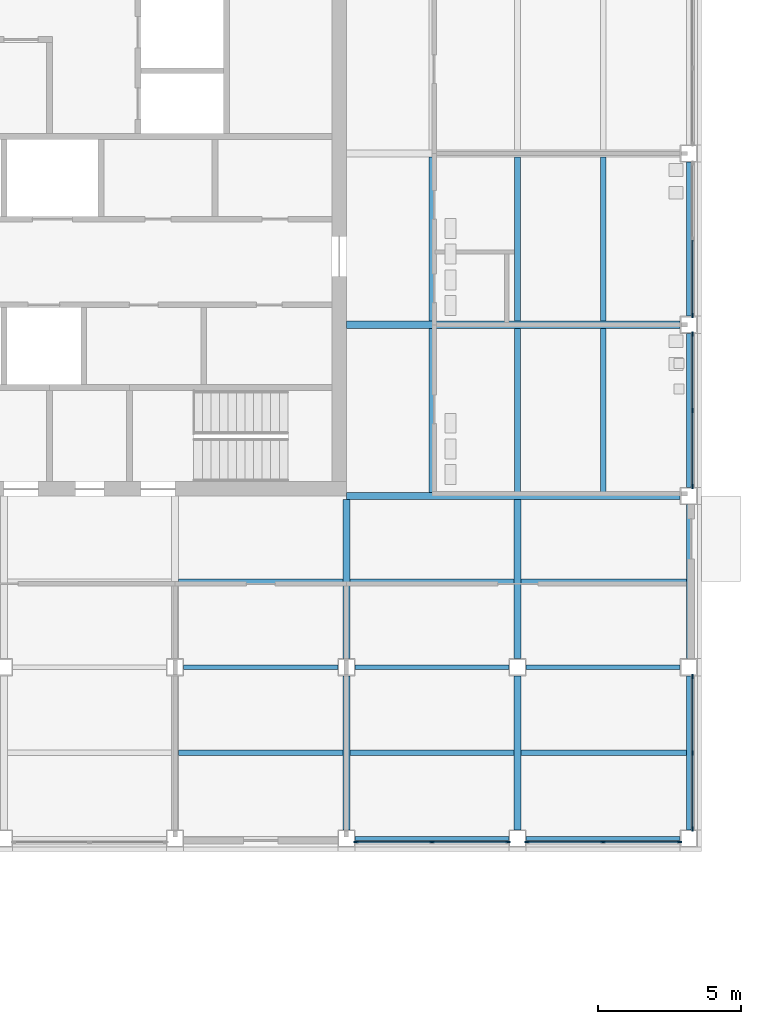
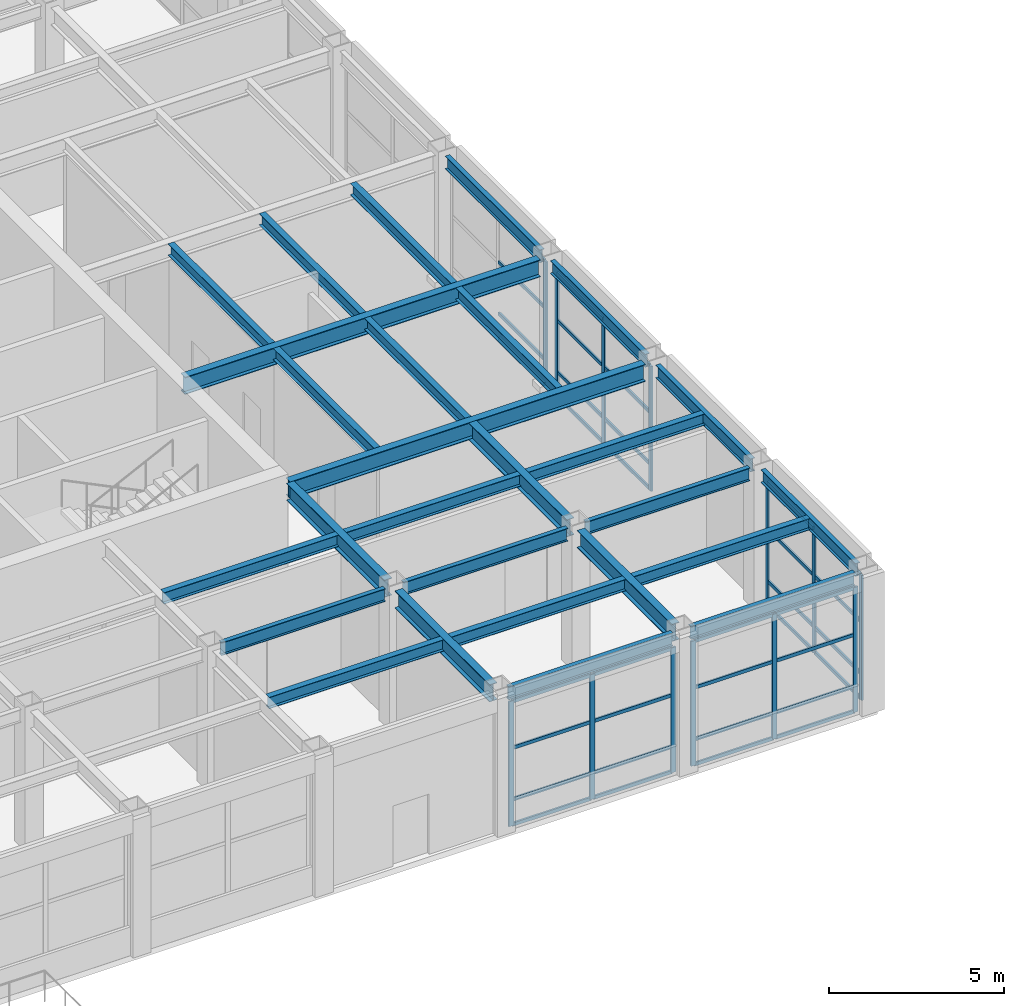
# One storey, part 20 of 77: 49 members, 27 beams, 5 elements without a shape of their own.
"""IFC4 building model written with IfcOpenShell, lengths in metres."""

import ifcopenshell
import ifcopenshell.guid

model = None  # the IFC model being written
_history = None  # IfcOwnerHistory: only IFC2X3 demands one
_inside = {}  # id of a spatial element -> (the spatial element, [elements in it])
_under = {}  # id of a project, library or spatial element -> (it, [spatial elements below it])
_declared = {}  # id of a project -> (the project, [libraries it declares])
_typed = {}  # id of a type object -> (the type object, [elements of that type])
_made_of = {}  # id of a material, layer set ... -> (it, [elements and type objects made of it])


def new_model(schema):
    """Start an empty IFC model of exactly this schema.

    Asked for "IFC4X3", IfcOpenShell would pick the latest addendum, in which some entities
    have other attributes; the version numbers below select the first issue.
    IFC2X3 requires an IfcOwnerHistory on every rooted entity: one is made here for all.
    """
    global model, _history
    if schema == "IFC4X3":
        model = ifcopenshell.file(schema_version=(4, 3, 0, 0))
    else:
        model = ifcopenshell.file(schema=schema)
    _inside.clear()
    _under.clear()
    _declared.clear()
    _typed.clear()
    _made_of.clear()
    _history = None
    if model.schema == "IFC2X3":
        org = make("IfcOrganization", Name="unknown")
        user = make(
            "IfcPersonAndOrganization",
            ThePerson=make("IfcPerson", FamilyName="unknown"),
            TheOrganization=org,
        )
        app = make(
            "IfcApplication",
            ApplicationDeveloper=org,
            Version="unknown",
            ApplicationFullName="unknown",
            ApplicationIdentifier="unknown",
        )
        _history = make(
            "IfcOwnerHistory",
            OwningUser=user,
            OwningApplication=app,
            ChangeAction="ADDED",
            CreationDate=0,
        )
    return model


def make(cls, **values):
    """One entity of the class cls with the attributes given. An attribute that is None is left unset."""
    return model.create_entity(
        cls, **{name: value for name, value in values.items() if value is not None}
    )


def rooted(cls, **values):
    """An entity with a GlobalId (a new one), such as an element, a storey or a relation."""
    return make(cls, GlobalId=ifcopenshell.guid.new(), OwnerHistory=_history, **values)


def si_unit(unit_type, name, prefix=None):
    """IfcSIUnit, for example si_unit("LENGTHUNIT", "METRE", prefix="MILLI")."""
    return make("IfcSIUnit", UnitType=unit_type, Prefix=prefix, Name=name)


def assignment(units):
    """IfcUnitAssignment: the units of a project."""
    return None if units is None else make("IfcUnitAssignment", Units=units)


def point(xyz):
    """IfcCartesianPoint."""
    return None if xyz is None else make("IfcCartesianPoint", Coordinates=xyz)


def direction(xyz):
    """IfcDirection."""
    return None if xyz is None else make("IfcDirection", DirectionRatios=xyz)


def frame(location, z_axis=None, x_axis=None):
    """IfcAxis2Placement3D, a coordinate frame: its origin and axes. An axis left out is left unset."""
    return make(
        "IfcAxis2Placement3D",
        Location=point(location),
        Axis=direction(z_axis),
        RefDirection=direction(x_axis),
    )


def frame_2d(location, x_axis=None):
    """IfcAxis2Placement2D, a coordinate frame in the plane: its origin and x axis."""
    return make(
        "IfcAxis2Placement2D", Location=point(location), RefDirection=direction(x_axis)
    )


def origin():
    """The frame at (0, 0, 0) with its axes left unset."""
    return frame((0.0, 0.0, 0.0))


def origin_2d():
    """The frame at (0, 0) in the plane with its x axis left unset."""
    return frame_2d((0.0, 0.0))


def place(relative_to, where):
    """IfcLocalPlacement: puts the frame where relative to a parent placement (None: the world)."""
    return make(
        "IfcLocalPlacement", PlacementRelTo=relative_to, RelativePlacement=where
    )


def context(
    kind, dimensions, precision=None, world=None, true_north=None, identifier=None
):
    """IfcGeometricRepresentationContext, for example the 3D "Model" context."""
    return make(
        "IfcGeometricRepresentationContext",
        ContextIdentifier=identifier,
        ContextType=kind,
        CoordinateSpaceDimension=dimensions,
        Precision=precision,
        WorldCoordinateSystem=world,
        TrueNorth=true_north,
    )


def subcontext(parent, identifier, kind, view, scale=None):
    """IfcGeometricRepresentationSubContext, for example "Body" below "Model"."""
    return make(
        "IfcGeometricRepresentationSubContext",
        ContextIdentifier=identifier,
        ContextType=kind,
        ParentContext=parent,
        TargetScale=scale,
        TargetView=view,
    )


def project(units=None, contexts=None):
    """IfcProject with its units and contexts."""
    return rooted(
        "IfcProject",
        Name="project",
        RepresentationContexts=contexts,
        UnitsInContext=assignment(units),
    )


def spatial(cls, under=None, at=None, **own):
    """A site, building, storey or space (cls), placed at a placement, below another one or the project."""
    s = rooted(cls, ObjectPlacement=at, **own)
    if under is not None:
        _under.setdefault(under.id(), (under, []))[1].append(s)
    return s


def profile(cls, at=None, kind="AREA", **sizes):
    """A parametric profile (cls). Its sizes go by their IFC names, for example OverallWidth=200.0."""
    return make(cls, ProfileType=kind, Position=at, **sizes)


def rectangle(**sizes):
    """IfcRectangleProfileDef."""
    return profile("IfcRectangleProfileDef", **sizes)


def i_section(**sizes):
    """IfcIShapeProfileDef."""
    return profile("IfcIShapeProfileDef", **sizes)


def extrude(swept, where, along, depth):
    """IfcExtrudedAreaSolid: the profile swept, set in the frame where, extruded along a direction by depth."""
    return make(
        "IfcExtrudedAreaSolid",
        SweptArea=swept,
        Position=where,
        ExtrudedDirection=direction(along),
        Depth=depth,
    )


def shape(context_of_items, identifier, shape_type, items):
    """IfcShapeRepresentation: the items that make up one representation, for example the "Body"."""
    return make(
        "IfcShapeRepresentation",
        ContextOfItems=context_of_items,
        RepresentationIdentifier=identifier,
        RepresentationType=shape_type,
        Items=items,
    )


def material(Name=None, Category=None):
    """IfcMaterial."""
    return make("IfcMaterial", Name=Name, Category=Category)


def material_profile(
    of_material, cross_section, Name=None, Category=None, Priority=None
):
    """IfcMaterialProfile: a cross section and its material."""
    return make(
        "IfcMaterialProfile",
        Name=Name,
        Material=of_material,
        Profile=cross_section,
        Priority=Priority,
        Category=Category,
    )


def profile_set(profiles, Name=None, composite=None):
    """IfcMaterialProfileSet."""
    return make(
        "IfcMaterialProfileSet",
        Name=Name,
        MaterialProfiles=profiles,
        CompositeProfile=composite,
    )


def made_of(thing, what):
    """Note that an element or type object is made of a material, layer set ...; save() writes the relation."""
    if what is not None:
        _made_of.setdefault(what.id(), (what, []))[1].append(thing)
    return thing


def type_object(cls, material=None, **own):
    """A type object (cls), such as IfcWallType, which elements share."""
    return made_of(rooted(cls, **own), material)


def element(
    cls,
    number,
    at=None,
    inside=None,
    cuts=None,
    type_object=None,
    material=None,
    context=None,
    identifier="Body",
    shape_type=None,
    held_by="IfcProductDefinitionShape",
    body=None,
    shapes=None,
    **own,
):
    """One element of the class cls, such as IfcWall. Its Tag is "e" and its number.

    at: its placement. inside: the storey or other place that contains it. cuts: it is an
    opening in that element (IfcRelVoidsElement). A single representation is given by context,
    identifier, shape_type and body (its items); several are given by shapes. held_by: the class
    of the entity that holds the representations. save() writes the other relations.
    """
    e = rooted(cls, Tag="e%d" % number, ObjectPlacement=at, **own)
    if body is not None:
        shapes = [shape(context, identifier, shape_type, body)]
    if shapes is not None:
        e.Representation = make(held_by, Representations=shapes)
    if inside is not None:
        _inside.setdefault(inside.id(), (inside, []))[1].append(e)
    if cuts is not None:
        rooted(
            "IfcRelVoidsElement", RelatingBuildingElement=cuts, RelatedOpeningElement=e
        )
    if type_object is not None:
        _typed.setdefault(type_object.id(), (type_object, []))[1].append(e)
    return made_of(e, material)


def aggregate(whole, parts):
    """IfcRelAggregates: a whole, such as a stair, and the parts it consists of."""
    return rooted("IfcRelAggregates", RelatingObject=whole, RelatedObjects=parts)


def save(model, path):
    """Write the relations noted so far, then the file.

    IfcRelAggregates (storeys below a building ...), IfcRelContainedInSpatialStructure (elements
    in a storey), IfcRelDefinesByType, IfcRelAssociatesMaterial and IfcRelDeclares: one each for
    every whole, place, type object, material and project.
    """
    for whole, parts in _under.values():
        aggregate(whole, parts)
    for where, things in _inside.values():
        rooted(
            "IfcRelContainedInSpatialStructure",
            RelatedElements=things,
            RelatingStructure=where,
        )
    for kind, things in _typed.values():
        rooted("IfcRelDefinesByType", RelatedObjects=things, RelatingType=kind)
    for what, things in _made_of.values():
        rooted("IfcRelAssociatesMaterial", RelatedObjects=things, RelatingMaterial=what)
    for by, libraries in _declared.values():
        rooted("IfcRelDeclares", RelatingContext=by, RelatedDefinitions=libraries)
    model.write(path)


model = new_model("IFC4")

# Units and contexts
model_context = context("Model", 3, precision=1e-05, world=origin(), true_north=direction((0.0, 1.0)))
body_context = subcontext(model_context, "Body", "Model", "MODEL_VIEW")
ifc_project = project(units=[si_unit("LENGTHUNIT", "METRE"), si_unit("AREAUNIT", "SQUARE_METRE"), si_unit("VOLUMEUNIT", "CUBIC_METRE"), si_unit("PLANEANGLEUNIT", "RADIAN"), si_unit("MASSUNIT", "GRAM", prefix="KILO")], contexts=[model_context])

# Site, building, storey
site_placement = place(None, origin())
site = spatial("IfcSite", under=ifc_project, at=site_placement, CompositionType="ELEMENT")
building_placement = place(site_placement, origin())
building = spatial("IfcBuilding", under=site, at=building_placement, Name="Aravalli Gate Trade Fair Centre", CompositionType="ELEMENT")
storey_placement = place(building_placement, origin())
storey = spatial("IfcBuildingStorey", under=building, at=storey_placement, Name="L00", CompositionType="ELEMENT", Elevation=0.0)

# Beams
ifc_material_1 = material(Name="Steel E350", Category="steel")
ifc_material_profile_1 = material_profile(ifc_material_1, i_section(OverallWidth=0.25, OverallDepth=0.60009765625, WebThickness=0.01123046875, FlangeThickness=0.021240234375, at=origin_2d()), Name="ISWB 600")
ifc_profile_set_1 = profile_set([ifc_material_profile_1], Name="Steel E350")
beam_type_1 = type_object("IfcBeamType", Name="Wing core to perimeter girder ISWB 600 (podium floors)", PredefinedType="BEAM", material=ifc_profile_set_1)
for number, where, z_axis, x_axis, name in (
    (1, (190.0, 103.0, 4.5), (1.0, 0.0, 0.0), (0.0, 1.0, 0.0), "Core to perimeter girder PE0 L01"),
    (2, (190.0, 109.0, 4.5), (1.0, 0.0, 0.0), (0.0, 1.0, 0.0), "Core to perimeter girder PE1 L01"),
):
    element("IfcBeam", number, at=place(storey_placement, frame(where, z_axis=z_axis, x_axis=x_axis)), inside=storey, type_object=beam_type_1, Name=name, PredefinedType="BEAM", context=body_context, shape_type="SweptSolid", body=[
        extrude(i_section(OverallWidth=0.25, OverallDepth=0.60009765625, WebThickness=0.01123046875, FlangeThickness=0.021240234375, at=origin_2d()), origin(), (0.0, 0.0, 1.0), 11.699951171875),
    ])
beam_1_placement = place(storey_placement, frame((190.0, 91.300048828125, 4.5), z_axis=(0.0, 1.0, 0.0), x_axis=(-1.0, 0.0, 0.0)))
element("IfcBeam", 3, at=beam_1_placement, inside=storey, type_object=beam_type_1, Name="Core to perimeter girder PS3a L01", PredefinedType="BEAM", context=body_context, shape_type="SweptSolid", body=[
    extrude(i_section(OverallWidth=0.25, OverallDepth=0.60009765625, WebThickness=0.01123046875, FlangeThickness=0.021240234375, at=origin_2d()), origin(), (0.0, 0.0, 1.0), 5.39990234375),
])
beam_2_placement = place(storey_placement, frame((190.0, 97.300048828125, 4.5), z_axis=(0.0, 1.0, 0.0), x_axis=(-1.0, 0.0, 0.0)))
element("IfcBeam", 4, at=beam_2_placement, inside=storey, type_object=beam_type_1, Name="Core to perimeter girder PS3b L01", PredefinedType="BEAM", context=body_context, shape_type="SweptSolid", body=[
    extrude(i_section(OverallWidth=0.25, OverallDepth=0.60009765625, WebThickness=0.01123046875, FlangeThickness=0.021240234375, at=origin_2d()), origin(), (0.0, 0.0, 1.0), 5.574951171875),
])
ifc_material_profile_2 = material_profile(ifc_material_1, i_section(OverallWidth=0.25, OverallDepth=0.60009765625, WebThickness=0.01123046875, FlangeThickness=0.021240234375, at=origin_2d()), Name="ISWB 600")
ifc_profile_set_2 = profile_set([ifc_material_profile_2], Name="Steel E350")
beam_type_2 = type_object("IfcBeamType", Name="Wing corner transfer girder ISWB 600 (podium floors)", PredefinedType="BEAM", material=ifc_profile_set_2)
beam_3_placement = place(storey_placement, frame((196.0, 91.300048828125, 4.5), z_axis=(0.0, 1.0, 0.0), x_axis=(-1.0, 0.0, 0.0)))
element("IfcBeam", 5, at=beam_3_placement, inside=storey, type_object=beam_type_2, Name="Corner transfer girder CSEya L01", PredefinedType="BEAM", context=body_context, shape_type="SweptSolid", body=[
    extrude(i_section(OverallWidth=0.25, OverallDepth=0.60009765625, WebThickness=0.01123046875, FlangeThickness=0.021240234375, at=origin_2d()), origin(), (0.0, 0.0, 1.0), 5.39990234375),
])
beam_4_placement = place(storey_placement, frame((196.0, 97.300048828125, 4.5), z_axis=(0.0, 1.0, 0.0), x_axis=(-1.0, 0.0, 0.0)))
element("IfcBeam", 6, at=beam_4_placement, inside=storey, type_object=beam_type_2, Name="Corner transfer girder CSEyb L01", PredefinedType="BEAM", context=body_context, shape_type="SweptSolid", body=[
    extrude(i_section(OverallWidth=0.25, OverallDepth=0.60009765625, WebThickness=0.01123046875, FlangeThickness=0.021240234375, at=origin_2d()), origin(), (0.0, 0.0, 1.0), 5.574951171875),
])

# Curtain wall, members
ifc_material_2 = material(Name="Aluminium and glass", Category="aluminium")
curtain_wall_type = type_object("IfcCurtainWallType", Name="Wing curtain wall", PredefinedType="NOTDEFINED", material=ifc_material_2)
curtain_wall_1_placement = place(storey_placement, origin())
curtain_wall_1 = element("IfcCurtainWall", 7, at=curtain_wall_1_placement, inside=storey, type_object=curtain_wall_type, Name="Curtain wall S5 L00", PredefinedType="NOTDEFINED")
ifc_material_3 = material(Name="Aluminium", Category="aluminium")
ifc_material_profile_3 = material_profile(ifc_material_3, rectangle(XDim=0.06005859375, YDim=0.159912109375, at=origin_2d()), Name="Wing curtain wall mullion 60 x 160")
ifc_profile_set_3 = profile_set([ifc_material_profile_3], Name="Aluminium")
member_type_1 = type_object("IfcMemberType", Name="Wing curtain wall mullion 60 x 160", PredefinedType="MULLION", material=ifc_profile_set_3)
member_1_placement = place(storey_placement, frame((190.330078125, 90.875, 0.0), z_axis=(0.0, 0.0, 1.0), x_axis=(0.0, 1.0, 0.0)))
member_1 = element("IfcMember", 8, at=member_1_placement, type_object=member_type_1, Name="TCW1 mullion 1", PredefinedType="MULLION", context=body_context, shape_type="SweptSolid", body=[
    extrude(rectangle(XDim=0.06005859375, YDim=0.159912109375, at=origin_2d()), origin(), (0.0, 0.0, 1.0), 4.35009765625),
])
member_2_placement = place(storey_placement, frame((193.0, 90.875, 0.0), z_axis=(0.0, 0.0, 1.0), x_axis=(0.0, 1.0, 0.0)))
member_2 = element("IfcMember", 9, at=member_2_placement, type_object=member_type_1, Name="TCW1 mullion 2", PredefinedType="MULLION", context=body_context, shape_type="SweptSolid", body=[
    extrude(rectangle(XDim=0.06005859375, YDim=0.159912109375, at=origin_2d()), origin(), (0.0, 0.0, 1.0), 4.35009765625),
])
member_3_placement = place(storey_placement, frame((195.669921875, 90.875, 0.0), z_axis=(0.0, 0.0, 1.0), x_axis=(0.0, 1.0, 0.0)))
member_3 = element("IfcMember", 10, at=member_3_placement, type_object=member_type_1, Name="TCW1 mullion 3", PredefinedType="MULLION", context=body_context, shape_type="SweptSolid", body=[
    extrude(rectangle(XDim=0.06005859375, YDim=0.159912109375, at=origin_2d()), origin(), (0.0, 0.0, 1.0), 4.35009765625),
])

curtain_wall_2_placement = place(storey_placement, origin())
curtain_wall_2 = element("IfcCurtainWall", 11, at=curtain_wall_2_placement, inside=storey, type_object=curtain_wall_type, Name="Curtain wall S6 L00", PredefinedType="NOTDEFINED")
member_4_placement = place(storey_placement, frame((196.330078125, 90.875, 0.0), z_axis=(0.0, 0.0, 1.0), x_axis=(0.0, 1.0, 0.0)))
member_4 = element("IfcMember", 12, at=member_4_placement, type_object=member_type_1, Name="TCW1 mullion 1", PredefinedType="MULLION", context=body_context, shape_type="SweptSolid", body=[
    extrude(rectangle(XDim=0.06005859375, YDim=0.159912109375, at=origin_2d()), origin(), (0.0, 0.0, 1.0), 4.35009765625),
])
member_5_placement = place(storey_placement, frame((199.0, 90.875, 0.0), z_axis=(0.0, 0.0, 1.0), x_axis=(0.0, 1.0, 0.0)))
member_5 = element("IfcMember", 13, at=member_5_placement, type_object=member_type_1, Name="TCW1 mullion 2", PredefinedType="MULLION", context=body_context, shape_type="SweptSolid", body=[
    extrude(rectangle(XDim=0.06005859375, YDim=0.159912109375, at=origin_2d()), origin(), (0.0, 0.0, 1.0), 4.35009765625),
])
member_6_placement = place(storey_placement, frame((201.669921875, 90.875, 0.0), z_axis=(0.0, 0.0, 1.0), x_axis=(0.0, 1.0, 0.0)))
member_6 = element("IfcMember", 14, at=member_6_placement, type_object=member_type_1, Name="TCW1 mullion 3", PredefinedType="MULLION", context=body_context, shape_type="SweptSolid", body=[
    extrude(rectangle(XDim=0.06005859375, YDim=0.159912109375, at=origin_2d()), origin(), (0.0, 0.0, 1.0), 4.35009765625),
])

curtain_wall_3_placement = place(storey_placement, origin())
curtain_wall_3 = element("IfcCurtainWall", 15, at=curtain_wall_3_placement, inside=storey, type_object=curtain_wall_type, Name="Curtain wall E0 L00", PredefinedType="NOTDEFINED")
member_7_placement = place(storey_placement, frame((202.125, 91.330078125, 0.0), z_axis=(0.0, 0.0, 1.0), x_axis=(-1.0, 0.0, 0.0)))
member_7 = element("IfcMember", 16, at=member_7_placement, type_object=member_type_1, Name="TCW1 mullion 1", PredefinedType="MULLION", context=body_context, shape_type="SweptSolid", body=[
    extrude(rectangle(XDim=0.06005859375, YDim=0.159912109375, at=origin_2d()), origin(), (0.0, 0.0, 1.0), 4.35009765625),
])
member_8_placement = place(storey_placement, frame((202.125, 94.0, 0.0), z_axis=(0.0, 0.0, 1.0), x_axis=(-1.0, 0.0, 0.0)))
member_8 = element("IfcMember", 17, at=member_8_placement, type_object=member_type_1, Name="TCW1 mullion 2", PredefinedType="MULLION", context=body_context, shape_type="SweptSolid", body=[
    extrude(rectangle(XDim=0.06005859375, YDim=0.159912109375, at=origin_2d()), origin(), (0.0, 0.0, 1.0), 4.35009765625),
])
member_9_placement = place(storey_placement, frame((202.125, 96.669921875, 0.0), z_axis=(0.0, 0.0, 1.0), x_axis=(-1.0, 0.0, 0.0)))
member_9 = element("IfcMember", 18, at=member_9_placement, type_object=member_type_1, Name="TCW1 mullion 3", PredefinedType="MULLION", context=body_context, shape_type="SweptSolid", body=[
    extrude(rectangle(XDim=0.06005859375, YDim=0.159912109375, at=origin_2d()), origin(), (0.0, 0.0, 1.0), 4.35009765625),
])

curtain_wall_4_placement = place(storey_placement, origin())
curtain_wall_4 = element("IfcCurtainWall", 19, at=curtain_wall_4_placement, inside=storey, type_object=curtain_wall_type, Name="Curtain wall E2 L00", PredefinedType="NOTDEFINED")
member_10_placement = place(storey_placement, frame((202.125, 103.330078125, 0.0), z_axis=(0.0, 0.0, 1.0), x_axis=(-1.0, 0.0, 0.0)))
member_10 = element("IfcMember", 20, at=member_10_placement, type_object=member_type_1, Name="TCW1 mullion 1", PredefinedType="MULLION", context=body_context, shape_type="SweptSolid", body=[
    extrude(rectangle(XDim=0.06005859375, YDim=0.159912109375, at=origin_2d()), origin(), (0.0, 0.0, 1.0), 4.35009765625),
])
member_11_placement = place(storey_placement, frame((202.125, 106.0, 0.0), z_axis=(0.0, 0.0, 1.0), x_axis=(-1.0, 0.0, 0.0)))
member_11 = element("IfcMember", 21, at=member_11_placement, type_object=member_type_1, Name="TCW1 mullion 2", PredefinedType="MULLION", context=body_context, shape_type="SweptSolid", body=[
    extrude(rectangle(XDim=0.06005859375, YDim=0.159912109375, at=origin_2d()), origin(), (0.0, 0.0, 1.0), 4.35009765625),
])
member_12_placement = place(storey_placement, frame((202.125, 108.669921875, 0.0), z_axis=(0.0, 0.0, 1.0), x_axis=(-1.0, 0.0, 0.0)))
member_12 = element("IfcMember", 22, at=member_12_placement, type_object=member_type_1, Name="TCW1 mullion 3", PredefinedType="MULLION", context=body_context, shape_type="SweptSolid", body=[
    extrude(rectangle(XDim=0.06005859375, YDim=0.159912109375, at=origin_2d()), origin(), (0.0, 0.0, 1.0), 4.35009765625),
])

# Curtain wall, member
curtain_wall_5_placement = place(storey_placement, origin())
curtain_wall_5 = element("IfcCurtainWall", 23, at=curtain_wall_5_placement, inside=storey, type_object=curtain_wall_type, Name="Curtain wall E3 L00", PredefinedType="NOTDEFINED")
member_13_placement = place(storey_placement, frame((202.125, 109.330078125, 0.0), z_axis=(0.0, 0.0, 1.0), x_axis=(-1.0, 0.0, 0.0)))
member_13 = element("IfcMember", 24, at=member_13_placement, type_object=member_type_1, Name="TCW1 mullion 1", PredefinedType="MULLION", context=body_context, shape_type="SweptSolid", body=[
    extrude(rectangle(XDim=0.06005859375, YDim=0.159912109375, at=origin_2d()), origin(), (0.0, 0.0, 1.0), 4.35009765625),
])

# Member
ifc_material_profile_4 = material_profile(ifc_material_3, rectangle(XDim=0.06005859375, YDim=0.1201171875, at=origin_2d()), Name="Wing curtain wall transom 60 x 120")
ifc_profile_set_4 = profile_set([ifc_material_profile_4], Name="Aluminium")
member_type_2 = type_object("IfcMemberType", Name="Wing curtain wall transom 60 x 120", PredefinedType="USERDEFINED", material=ifc_profile_set_4)
member_14_placement = place(storey_placement, frame((190.360107421875, 90.875, 0.030029296875), z_axis=(1.0, 0.0, 0.0), x_axis=(0.0, 1.0, 0.0)))
member_14 = element("IfcMember", 25, at=member_14_placement, type_object=member_type_2, Name="TCW1 transom 1.1", ObjectType="TRANSOM", PredefinedType="USERDEFINED", context=body_context, shape_type="SweptSolid", body=[
    extrude(rectangle(XDim=0.06005859375, YDim=0.1201171875, at=origin_2d()), origin(), (0.0, 0.0, 1.0), 2.60986328125),
])

member_15_placement = place(storey_placement, frame((190.360107421875, 90.875, 0.89990234375), z_axis=(1.0, 0.0, 0.0), x_axis=(0.0, 1.0, 0.0)))
member_15 = element("IfcMember", 26, at=member_15_placement, type_object=member_type_2, Name="TCW1 transom 1.2", ObjectType="TRANSOM", PredefinedType="USERDEFINED", context=body_context, shape_type="SweptSolid", body=[
    extrude(rectangle(XDim=0.06005859375, YDim=0.1201171875, at=origin_2d()), origin(), (0.0, 0.0, 1.0), 2.60986328125),
])

member_16_placement = place(storey_placement, frame((190.360107421875, 90.875, 2.699951171875), z_axis=(1.0, 0.0, 0.0), x_axis=(0.0, 1.0, 0.0)))
member_16 = element("IfcMember", 27, at=member_16_placement, type_object=member_type_2, Name="TCW1 transom 1.3", ObjectType="TRANSOM", PredefinedType="USERDEFINED", context=body_context, shape_type="SweptSolid", body=[
    extrude(rectangle(XDim=0.06005859375, YDim=0.1201171875, at=origin_2d()), origin(), (0.0, 0.0, 1.0), 2.60986328125),
])

member_17_placement = place(storey_placement, frame((190.360107421875, 90.875, 4.320068359375), z_axis=(1.0, 0.0, 0.0), x_axis=(0.0, 1.0, 0.0)))
member_17 = element("IfcMember", 28, at=member_17_placement, type_object=member_type_2, Name="TCW1 transom 1.4", ObjectType="TRANSOM", PredefinedType="USERDEFINED", context=body_context, shape_type="SweptSolid", body=[
    extrude(rectangle(XDim=0.06005859375, YDim=0.1201171875, at=origin_2d()), origin(), (0.0, 0.0, 1.0), 2.60986328125),
])

member_18_placement = place(storey_placement, frame((193.030029296875, 90.875, 0.030029296875), z_axis=(1.0, 0.0, 0.0), x_axis=(0.0, 1.0, 0.0)))
member_18 = element("IfcMember", 29, at=member_18_placement, type_object=member_type_2, Name="TCW1 transom 2.1", ObjectType="TRANSOM", PredefinedType="USERDEFINED", context=body_context, shape_type="SweptSolid", body=[
    extrude(rectangle(XDim=0.06005859375, YDim=0.1201171875, at=origin_2d()), origin(), (0.0, 0.0, 1.0), 2.60986328125),
])

member_19_placement = place(storey_placement, frame((193.030029296875, 90.875, 0.89990234375), z_axis=(1.0, 0.0, 0.0), x_axis=(0.0, 1.0, 0.0)))
member_19 = element("IfcMember", 30, at=member_19_placement, type_object=member_type_2, Name="TCW1 transom 2.2", ObjectType="TRANSOM", PredefinedType="USERDEFINED", context=body_context, shape_type="SweptSolid", body=[
    extrude(rectangle(XDim=0.06005859375, YDim=0.1201171875, at=origin_2d()), origin(), (0.0, 0.0, 1.0), 2.60986328125),
])

member_20_placement = place(storey_placement, frame((193.030029296875, 90.875, 2.699951171875), z_axis=(1.0, 0.0, 0.0), x_axis=(0.0, 1.0, 0.0)))
member_20 = element("IfcMember", 31, at=member_20_placement, type_object=member_type_2, Name="TCW1 transom 2.3", ObjectType="TRANSOM", PredefinedType="USERDEFINED", context=body_context, shape_type="SweptSolid", body=[
    extrude(rectangle(XDim=0.06005859375, YDim=0.1201171875, at=origin_2d()), origin(), (0.0, 0.0, 1.0), 2.60986328125),
])

member_21_placement = place(storey_placement, frame((193.030029296875, 90.875, 4.320068359375), z_axis=(1.0, 0.0, 0.0), x_axis=(0.0, 1.0, 0.0)))
member_21 = element("IfcMember", 32, at=member_21_placement, type_object=member_type_2, Name="TCW1 transom 2.4", ObjectType="TRANSOM", PredefinedType="USERDEFINED", context=body_context, shape_type="SweptSolid", body=[
    extrude(rectangle(XDim=0.06005859375, YDim=0.1201171875, at=origin_2d()), origin(), (0.0, 0.0, 1.0), 2.60986328125),
])

aggregate(curtain_wall_1, [member_1, member_2, member_3, member_14, member_15, member_16, member_17, member_18, member_19, member_20, member_21])

member_22_placement = place(storey_placement, frame((196.360107421875, 90.875, 0.030029296875), z_axis=(1.0, 0.0, 0.0), x_axis=(0.0, 1.0, 0.0)))
member_22 = element("IfcMember", 33, at=member_22_placement, type_object=member_type_2, Name="TCW1 transom 1.1", ObjectType="TRANSOM", PredefinedType="USERDEFINED", context=body_context, shape_type="SweptSolid", body=[
    extrude(rectangle(XDim=0.06005859375, YDim=0.1201171875, at=origin_2d()), origin(), (0.0, 0.0, 1.0), 2.60986328125),
])

member_23_placement = place(storey_placement, frame((196.360107421875, 90.875, 0.89990234375), z_axis=(1.0, 0.0, 0.0), x_axis=(0.0, 1.0, 0.0)))
member_23 = element("IfcMember", 34, at=member_23_placement, type_object=member_type_2, Name="TCW1 transom 1.2", ObjectType="TRANSOM", PredefinedType="USERDEFINED", context=body_context, shape_type="SweptSolid", body=[
    extrude(rectangle(XDim=0.06005859375, YDim=0.1201171875, at=origin_2d()), origin(), (0.0, 0.0, 1.0), 2.60986328125),
])

member_24_placement = place(storey_placement, frame((196.360107421875, 90.875, 2.699951171875), z_axis=(1.0, 0.0, 0.0), x_axis=(0.0, 1.0, 0.0)))
member_24 = element("IfcMember", 35, at=member_24_placement, type_object=member_type_2, Name="TCW1 transom 1.3", ObjectType="TRANSOM", PredefinedType="USERDEFINED", context=body_context, shape_type="SweptSolid", body=[
    extrude(rectangle(XDim=0.06005859375, YDim=0.1201171875, at=origin_2d()), origin(), (0.0, 0.0, 1.0), 2.60986328125),
])

member_25_placement = place(storey_placement, frame((196.360107421875, 90.875, 4.320068359375), z_axis=(1.0, 0.0, 0.0), x_axis=(0.0, 1.0, 0.0)))
member_25 = element("IfcMember", 36, at=member_25_placement, type_object=member_type_2, Name="TCW1 transom 1.4", ObjectType="TRANSOM", PredefinedType="USERDEFINED", context=body_context, shape_type="SweptSolid", body=[
    extrude(rectangle(XDim=0.06005859375, YDim=0.1201171875, at=origin_2d()), origin(), (0.0, 0.0, 1.0), 2.60986328125),
])

member_26_placement = place(storey_placement, frame((199.030029296875, 90.875, 0.030029296875), z_axis=(1.0, 0.0, 0.0), x_axis=(0.0, 1.0, 0.0)))
member_26 = element("IfcMember", 37, at=member_26_placement, type_object=member_type_2, Name="TCW1 transom 2.1", ObjectType="TRANSOM", PredefinedType="USERDEFINED", context=body_context, shape_type="SweptSolid", body=[
    extrude(rectangle(XDim=0.06005859375, YDim=0.1201171875, at=origin_2d()), origin(), (0.0, 0.0, 1.0), 2.60986328125),
])

member_27_placement = place(storey_placement, frame((199.030029296875, 90.875, 0.89990234375), z_axis=(1.0, 0.0, 0.0), x_axis=(0.0, 1.0, 0.0)))
member_27 = element("IfcMember", 38, at=member_27_placement, type_object=member_type_2, Name="TCW1 transom 2.2", ObjectType="TRANSOM", PredefinedType="USERDEFINED", context=body_context, shape_type="SweptSolid", body=[
    extrude(rectangle(XDim=0.06005859375, YDim=0.1201171875, at=origin_2d()), origin(), (0.0, 0.0, 1.0), 2.60986328125),
])

member_28_placement = place(storey_placement, frame((199.030029296875, 90.875, 2.699951171875), z_axis=(1.0, 0.0, 0.0), x_axis=(0.0, 1.0, 0.0)))
member_28 = element("IfcMember", 39, at=member_28_placement, type_object=member_type_2, Name="TCW1 transom 2.3", ObjectType="TRANSOM", PredefinedType="USERDEFINED", context=body_context, shape_type="SweptSolid", body=[
    extrude(rectangle(XDim=0.06005859375, YDim=0.1201171875, at=origin_2d()), origin(), (0.0, 0.0, 1.0), 2.60986328125),
])

member_29_placement = place(storey_placement, frame((199.030029296875, 90.875, 4.320068359375), z_axis=(1.0, 0.0, 0.0), x_axis=(0.0, 1.0, 0.0)))
member_29 = element("IfcMember", 40, at=member_29_placement, type_object=member_type_2, Name="TCW1 transom 2.4", ObjectType="TRANSOM", PredefinedType="USERDEFINED", context=body_context, shape_type="SweptSolid", body=[
    extrude(rectangle(XDim=0.06005859375, YDim=0.1201171875, at=origin_2d()), origin(), (0.0, 0.0, 1.0), 2.60986328125),
])

aggregate(curtain_wall_2, [member_4, member_5, member_6, member_22, member_23, member_24, member_25, member_26, member_27, member_28, member_29])

member_30_placement = place(storey_placement, frame((202.125, 91.360107421875, 0.030029296875), z_axis=(0.0, 1.0, 0.0), x_axis=(-1.0, 0.0, 0.0)))
member_30 = element("IfcMember", 41, at=member_30_placement, type_object=member_type_2, Name="TCW1 transom 1.1", ObjectType="TRANSOM", PredefinedType="USERDEFINED", context=body_context, shape_type="SweptSolid", body=[
    extrude(rectangle(XDim=0.06005859375, YDim=0.1201171875, at=origin_2d()), origin(), (0.0, 0.0, 1.0), 2.60986328125),
])

member_31_placement = place(storey_placement, frame((202.125, 91.360107421875, 0.89990234375), z_axis=(0.0, 1.0, 0.0), x_axis=(-1.0, 0.0, 0.0)))
member_31 = element("IfcMember", 42, at=member_31_placement, type_object=member_type_2, Name="TCW1 transom 1.2", ObjectType="TRANSOM", PredefinedType="USERDEFINED", context=body_context, shape_type="SweptSolid", body=[
    extrude(rectangle(XDim=0.06005859375, YDim=0.1201171875, at=origin_2d()), origin(), (0.0, 0.0, 1.0), 2.60986328125),
])

member_32_placement = place(storey_placement, frame((202.125, 91.360107421875, 2.699951171875), z_axis=(0.0, 1.0, 0.0), x_axis=(-1.0, 0.0, 0.0)))
member_32 = element("IfcMember", 43, at=member_32_placement, type_object=member_type_2, Name="TCW1 transom 1.3", ObjectType="TRANSOM", PredefinedType="USERDEFINED", context=body_context, shape_type="SweptSolid", body=[
    extrude(rectangle(XDim=0.06005859375, YDim=0.1201171875, at=origin_2d()), origin(), (0.0, 0.0, 1.0), 2.60986328125),
])

member_33_placement = place(storey_placement, frame((202.125, 91.360107421875, 4.320068359375), z_axis=(0.0, 1.0, 0.0), x_axis=(-1.0, 0.0, 0.0)))
member_33 = element("IfcMember", 44, at=member_33_placement, type_object=member_type_2, Name="TCW1 transom 1.4", ObjectType="TRANSOM", PredefinedType="USERDEFINED", context=body_context, shape_type="SweptSolid", body=[
    extrude(rectangle(XDim=0.06005859375, YDim=0.1201171875, at=origin_2d()), origin(), (0.0, 0.0, 1.0), 2.60986328125),
])

member_34_placement = place(storey_placement, frame((202.125, 94.030029296875, 0.030029296875), z_axis=(0.0, 1.0, 0.0), x_axis=(-1.0, 0.0, 0.0)))
member_34 = element("IfcMember", 45, at=member_34_placement, type_object=member_type_2, Name="TCW1 transom 2.1", ObjectType="TRANSOM", PredefinedType="USERDEFINED", context=body_context, shape_type="SweptSolid", body=[
    extrude(rectangle(XDim=0.06005859375, YDim=0.1201171875, at=origin_2d()), origin(), (0.0, 0.0, 1.0), 2.60986328125),
])

member_35_placement = place(storey_placement, frame((202.125, 94.030029296875, 0.89990234375), z_axis=(0.0, 1.0, 0.0), x_axis=(-1.0, 0.0, 0.0)))
member_35 = element("IfcMember", 46, at=member_35_placement, type_object=member_type_2, Name="TCW1 transom 2.2", ObjectType="TRANSOM", PredefinedType="USERDEFINED", context=body_context, shape_type="SweptSolid", body=[
    extrude(rectangle(XDim=0.06005859375, YDim=0.1201171875, at=origin_2d()), origin(), (0.0, 0.0, 1.0), 2.60986328125),
])

member_36_placement = place(storey_placement, frame((202.125, 94.030029296875, 2.699951171875), z_axis=(0.0, 1.0, 0.0), x_axis=(-1.0, 0.0, 0.0)))
member_36 = element("IfcMember", 47, at=member_36_placement, type_object=member_type_2, Name="TCW1 transom 2.3", ObjectType="TRANSOM", PredefinedType="USERDEFINED", context=body_context, shape_type="SweptSolid", body=[
    extrude(rectangle(XDim=0.06005859375, YDim=0.1201171875, at=origin_2d()), origin(), (0.0, 0.0, 1.0), 2.60986328125),
])

member_37_placement = place(storey_placement, frame((202.125, 94.030029296875, 4.320068359375), z_axis=(0.0, 1.0, 0.0), x_axis=(-1.0, 0.0, 0.0)))
member_37 = element("IfcMember", 48, at=member_37_placement, type_object=member_type_2, Name="TCW1 transom 2.4", ObjectType="TRANSOM", PredefinedType="USERDEFINED", context=body_context, shape_type="SweptSolid", body=[
    extrude(rectangle(XDim=0.06005859375, YDim=0.1201171875, at=origin_2d()), origin(), (0.0, 0.0, 1.0), 2.60986328125),
])

aggregate(curtain_wall_3, [member_7, member_8, member_9, member_30, member_31, member_32, member_33, member_34, member_35, member_36, member_37])

member_38_placement = place(storey_placement, frame((202.125, 103.360107421875, 0.030029296875), z_axis=(0.0, 1.0, 0.0), x_axis=(-1.0, 0.0, 0.0)))
member_38 = element("IfcMember", 49, at=member_38_placement, type_object=member_type_2, Name="TCW1 transom 1.1", ObjectType="TRANSOM", PredefinedType="USERDEFINED", context=body_context, shape_type="SweptSolid", body=[
    extrude(rectangle(XDim=0.06005859375, YDim=0.1201171875, at=origin_2d()), origin(), (0.0, 0.0, 1.0), 2.60986328125),
])

member_39_placement = place(storey_placement, frame((202.125, 103.360107421875, 0.89990234375), z_axis=(0.0, 1.0, 0.0), x_axis=(-1.0, 0.0, 0.0)))
member_39 = element("IfcMember", 50, at=member_39_placement, type_object=member_type_2, Name="TCW1 transom 1.2", ObjectType="TRANSOM", PredefinedType="USERDEFINED", context=body_context, shape_type="SweptSolid", body=[
    extrude(rectangle(XDim=0.06005859375, YDim=0.1201171875, at=origin_2d()), origin(), (0.0, 0.0, 1.0), 2.60986328125),
])

member_40_placement = place(storey_placement, frame((202.125, 103.360107421875, 2.699951171875), z_axis=(0.0, 1.0, 0.0), x_axis=(-1.0, 0.0, 0.0)))
member_40 = element("IfcMember", 51, at=member_40_placement, type_object=member_type_2, Name="TCW1 transom 1.3", ObjectType="TRANSOM", PredefinedType="USERDEFINED", context=body_context, shape_type="SweptSolid", body=[
    extrude(rectangle(XDim=0.06005859375, YDim=0.1201171875, at=origin_2d()), origin(), (0.0, 0.0, 1.0), 2.60986328125),
])

member_41_placement = place(storey_placement, frame((202.125, 103.360107421875, 4.320068359375), z_axis=(0.0, 1.0, 0.0), x_axis=(-1.0, 0.0, 0.0)))
member_41 = element("IfcMember", 52, at=member_41_placement, type_object=member_type_2, Name="TCW1 transom 1.4", ObjectType="TRANSOM", PredefinedType="USERDEFINED", context=body_context, shape_type="SweptSolid", body=[
    extrude(rectangle(XDim=0.06005859375, YDim=0.1201171875, at=origin_2d()), origin(), (0.0, 0.0, 1.0), 2.60986328125),
])

member_42_placement = place(storey_placement, frame((202.125, 106.030029296875, 0.030029296875), z_axis=(0.0, 1.0, 0.0), x_axis=(-1.0, 0.0, 0.0)))
member_42 = element("IfcMember", 53, at=member_42_placement, type_object=member_type_2, Name="TCW1 transom 2.1", ObjectType="TRANSOM", PredefinedType="USERDEFINED", context=body_context, shape_type="SweptSolid", body=[
    extrude(rectangle(XDim=0.06005859375, YDim=0.1201171875, at=origin_2d()), origin(), (0.0, 0.0, 1.0), 2.60986328125),
])

member_43_placement = place(storey_placement, frame((202.125, 106.030029296875, 0.89990234375), z_axis=(0.0, 1.0, 0.0), x_axis=(-1.0, 0.0, 0.0)))
member_43 = element("IfcMember", 54, at=member_43_placement, type_object=member_type_2, Name="TCW1 transom 2.2", ObjectType="TRANSOM", PredefinedType="USERDEFINED", context=body_context, shape_type="SweptSolid", body=[
    extrude(rectangle(XDim=0.06005859375, YDim=0.1201171875, at=origin_2d()), origin(), (0.0, 0.0, 1.0), 2.60986328125),
])

member_44_placement = place(storey_placement, frame((202.125, 106.030029296875, 2.699951171875), z_axis=(0.0, 1.0, 0.0), x_axis=(-1.0, 0.0, 0.0)))
member_44 = element("IfcMember", 55, at=member_44_placement, type_object=member_type_2, Name="TCW1 transom 2.3", ObjectType="TRANSOM", PredefinedType="USERDEFINED", context=body_context, shape_type="SweptSolid", body=[
    extrude(rectangle(XDim=0.06005859375, YDim=0.1201171875, at=origin_2d()), origin(), (0.0, 0.0, 1.0), 2.60986328125),
])

member_45_placement = place(storey_placement, frame((202.125, 106.030029296875, 4.320068359375), z_axis=(0.0, 1.0, 0.0), x_axis=(-1.0, 0.0, 0.0)))
member_45 = element("IfcMember", 56, at=member_45_placement, type_object=member_type_2, Name="TCW1 transom 2.4", ObjectType="TRANSOM", PredefinedType="USERDEFINED", context=body_context, shape_type="SweptSolid", body=[
    extrude(rectangle(XDim=0.06005859375, YDim=0.1201171875, at=origin_2d()), origin(), (0.0, 0.0, 1.0), 2.60986328125),
])

aggregate(curtain_wall_4, [member_10, member_11, member_12, member_38, member_39, member_40, member_41, member_42, member_43, member_44, member_45])

member_46_placement = place(storey_placement, frame((202.125, 109.360107421875, 0.030029296875), z_axis=(0.0, 1.0, 0.0), x_axis=(-1.0, 0.0, 0.0)))
member_46 = element("IfcMember", 57, at=member_46_placement, type_object=member_type_2, Name="TCW1 transom 1.1", ObjectType="TRANSOM", PredefinedType="USERDEFINED", context=body_context, shape_type="SweptSolid", body=[
    extrude(rectangle(XDim=0.06005859375, YDim=0.1201171875, at=origin_2d()), origin(), (0.0, 0.0, 1.0), 2.60986328125),
])

member_47_placement = place(storey_placement, frame((202.125, 109.360107421875, 0.89990234375), z_axis=(0.0, 1.0, 0.0), x_axis=(-1.0, 0.0, 0.0)))
member_47 = element("IfcMember", 58, at=member_47_placement, type_object=member_type_2, Name="TCW1 transom 1.2", ObjectType="TRANSOM", PredefinedType="USERDEFINED", context=body_context, shape_type="SweptSolid", body=[
    extrude(rectangle(XDim=0.06005859375, YDim=0.1201171875, at=origin_2d()), origin(), (0.0, 0.0, 1.0), 2.60986328125),
])

member_48_placement = place(storey_placement, frame((202.125, 109.360107421875, 2.699951171875), z_axis=(0.0, 1.0, 0.0), x_axis=(-1.0, 0.0, 0.0)))
member_48 = element("IfcMember", 59, at=member_48_placement, type_object=member_type_2, Name="TCW1 transom 1.3", ObjectType="TRANSOM", PredefinedType="USERDEFINED", context=body_context, shape_type="SweptSolid", body=[
    extrude(rectangle(XDim=0.06005859375, YDim=0.1201171875, at=origin_2d()), origin(), (0.0, 0.0, 1.0), 2.60986328125),
])

member_49_placement = place(storey_placement, frame((202.125, 109.360107421875, 4.320068359375), z_axis=(0.0, 1.0, 0.0), x_axis=(-1.0, 0.0, 0.0)))
member_49 = element("IfcMember", 60, at=member_49_placement, type_object=member_type_2, Name="TCW1 transom 1.4", ObjectType="TRANSOM", PredefinedType="USERDEFINED", context=body_context, shape_type="SweptSolid", body=[
    extrude(rectangle(XDim=0.06005859375, YDim=0.1201171875, at=origin_2d()), origin(), (0.0, 0.0, 1.0), 2.60986328125),
])

aggregate(curtain_wall_5, [member_13, member_46, member_47, member_48, member_49])

# Beams
ifc_material_profile_5 = material_profile(ifc_material_1, i_section(OverallWidth=0.14990234375, OverallDepth=0.449951171875, WebThickness=0.009521484375, FlangeThickness=0.017333984375, at=origin_2d()), Name="ISMB 450")
ifc_profile_set_5 = profile_set([ifc_material_profile_5], Name="Steel E350")
beam_type_3 = type_object("IfcBeamType", Name="Wing perimeter beam ISMB 450 (podium floors)", PredefinedType="BEAM", material=ifc_profile_set_5)
for number, where, z_axis, x_axis, name in (
    (61, (190.300048828125, 91.0, 4.574951171875), (1.0, 0.0, 0.0), (0.0, 1.0, 0.0), "Perimeter beam ES5 L01"),
    (62, (196.300048828125, 91.0, 4.574951171875), (1.0, 0.0, 0.0), (0.0, 1.0, 0.0), "Perimeter beam ES6 L01"),
    (63, (184.300048828125, 97.0, 4.574951171875), (1.0, 0.0, 0.0), (0.0, 1.0, 0.0), "Perimeter beam ER4 L01"),
    (64, (190.300048828125, 97.0, 4.574951171875), (1.0, 0.0, 0.0), (0.0, 1.0, 0.0), "Perimeter beam ER5 L01"),
    (65, (196.300048828125, 97.0, 4.574951171875), (1.0, 0.0, 0.0), (0.0, 1.0, 0.0), "Perimeter beam ER6 L01"),
    (66, (202.0, 91.300048828125, 4.574951171875), (0.0, 1.0, 0.0), (-1.0, 0.0, 0.0), "Perimeter beam EE0 L01"),
    (67, (202.0, 97.300048828125, 4.574951171875), (0.0, 1.0, 0.0), (-1.0, 0.0, 0.0), "Perimeter beam EE1 L01"),
    (68, (202.0, 103.300048828125, 4.574951171875), (0.0, 1.0, 0.0), (-1.0, 0.0, 0.0), "Perimeter beam EE2 L01"),
    (69, (202.0, 109.300048828125, 4.574951171875), (0.0, 1.0, 0.0), (-1.0, 0.0, 0.0), "Perimeter beam EE3 L01"),
):
    element("IfcBeam", number, at=place(storey_placement, frame(where, z_axis=z_axis, x_axis=x_axis)), inside=storey, type_object=beam_type_3, Name=name, PredefinedType="BEAM", context=body_context, shape_type="SweptSolid", body=[
        extrude(i_section(OverallWidth=0.14990234375, OverallDepth=0.449951171875, WebThickness=0.009521484375, FlangeThickness=0.017333984375, at=origin_2d()), origin(), (0.0, 0.0, 1.0), 5.39990234375),
    ])
ifc_material_profile_6 = material_profile(ifc_material_1, i_section(OverallWidth=0.199951171875, OverallDepth=0.39990234375, WebThickness=0.008544921875, FlangeThickness=0.012939453125, at=origin_2d()), Name="ISWB 400")
ifc_profile_set_6 = profile_set([ifc_material_profile_6], Name="Steel E350")
beam_type_4 = type_object("IfcBeamType", Name="Wing secondary beam ISWB 400 (podium floors)", PredefinedType="BEAM", material=ifc_profile_set_6)
beam_5_placement = place(storey_placement, frame((190.125, 94.0, 4.60009765625), z_axis=(1.0, 0.0, 0.0), x_axis=(0.0, 1.0, 0.0)))
element("IfcBeam", 70, at=beam_5_placement, inside=storey, type_object=beam_type_4, Name="Secondary beam KES00 L01", PredefinedType="BEAM", context=body_context, shape_type="SweptSolid", body=[
    extrude(i_section(OverallWidth=0.199951171875, OverallDepth=0.39990234375, WebThickness=0.008544921875, FlangeThickness=0.012939453125, at=origin_2d()), origin(), (0.0, 0.0, 1.0), 5.75),
])
beam_6_placement = place(storey_placement, frame((196.125, 94.0, 4.60009765625), z_axis=(1.0, 0.0, 0.0), x_axis=(0.0, 1.0, 0.0)))
element("IfcBeam", 71, at=beam_6_placement, inside=storey, type_object=beam_type_4, Name="Secondary beam KES01 L01", PredefinedType="BEAM", context=body_context, shape_type="SweptSolid", body=[
    extrude(i_section(OverallWidth=0.199951171875, OverallDepth=0.39990234375, WebThickness=0.008544921875, FlangeThickness=0.012939453125, at=origin_2d()), origin(), (0.0, 0.0, 1.0), 5.800048828125),
])
beam_7_placement = place(storey_placement, frame((190.125, 100.0, 4.60009765625), z_axis=(1.0, 0.0, 0.0), x_axis=(0.0, 1.0, 0.0)))
element("IfcBeam", 72, at=beam_7_placement, inside=storey, type_object=beam_type_4, Name="Secondary beam KES10 L01", PredefinedType="BEAM", context=body_context, shape_type="SweptSolid", body=[
    extrude(i_section(OverallWidth=0.199951171875, OverallDepth=0.39990234375, WebThickness=0.008544921875, FlangeThickness=0.012939453125, at=origin_2d()), origin(), (0.0, 0.0, 1.0), 5.75),
])
beam_8_placement = place(storey_placement, frame((196.125, 100.0, 4.60009765625), z_axis=(1.0, 0.0, 0.0), x_axis=(0.0, 1.0, 0.0)))
element("IfcBeam", 73, at=beam_8_placement, inside=storey, type_object=beam_type_4, Name="Secondary beam KES11 L01", PredefinedType="BEAM", context=body_context, shape_type="SweptSolid", body=[
    extrude(i_section(OverallWidth=0.199951171875, OverallDepth=0.39990234375, WebThickness=0.008544921875, FlangeThickness=0.012939453125, at=origin_2d()), origin(), (0.0, 0.0, 1.0), 5.800048828125),
])
for number, where, z_axis, x_axis, name in (
    (74, (193.0, 103.125, 4.60009765625), (0.0, 1.0, 0.0), (-1.0, 0.0, 0.0), "Secondary beam BE0193 L01"),
    (75, (196.0, 103.125, 4.60009765625), (0.0, 1.0, 0.0), (-1.0, 0.0, 0.0), "Secondary beam BE0196 L01"),
    (76, (199.0, 103.125, 4.60009765625), (0.0, 1.0, 0.0), (-1.0, 0.0, 0.0), "Secondary beam BE0199 L01"),
    (77, (193.0, 109.125, 4.60009765625), (0.0, 1.0, 0.0), (-1.0, 0.0, 0.0), "Secondary beam BE1193 L01"),
    (78, (196.0, 109.125, 4.60009765625), (0.0, 1.0, 0.0), (-1.0, 0.0, 0.0), "Secondary beam BE1196 L01"),
    (79, (199.0, 109.125, 4.60009765625), (0.0, 1.0, 0.0), (-1.0, 0.0, 0.0), "Secondary beam BE1199 L01"),
    (80, (184.125, 94.0, 4.60009765625), (1.0, 0.0, 0.0), (0.0, 1.0, 0.0), "Secondary beam BS294 L01"),
    (81, (184.125, 100.0, 4.60009765625), (1.0, 0.0, 0.0), (0.0, 1.0, 0.0), "Secondary beam BS2100 L01"),
):
    element("IfcBeam", number, at=place(storey_placement, frame(where, z_axis=z_axis, x_axis=x_axis)), inside=storey, type_object=beam_type_4, Name=name, PredefinedType="BEAM", context=body_context, shape_type="SweptSolid", body=[
        extrude(i_section(OverallWidth=0.199951171875, OverallDepth=0.39990234375, WebThickness=0.008544921875, FlangeThickness=0.012939453125, at=origin_2d()), origin(), (0.0, 0.0, 1.0), 5.75),
    ])

save(model, "model.ifc")
